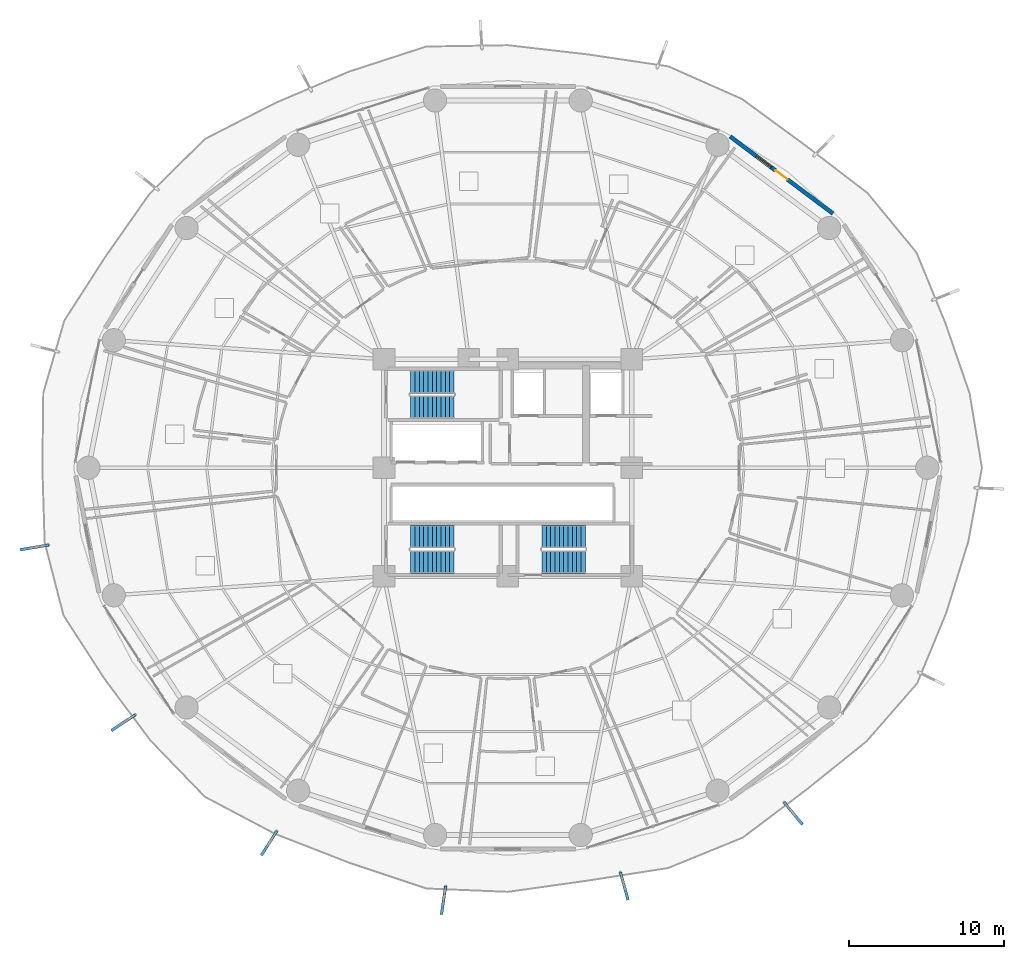
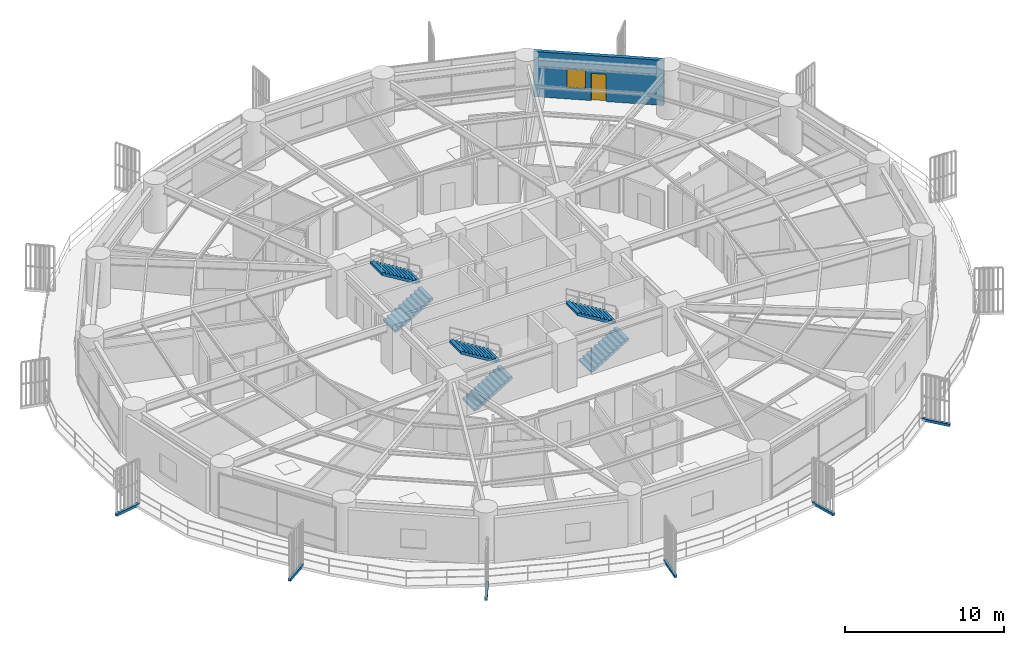
# One storey, part 27 of 33: 6 discrete accessories, 6 stair flights, 1 door, 1 wall, 1 window, 2 openings, 3 elements without a shape of their own.
"""IFC4 building model written with IfcOpenShell, lengths in metres."""

from ifc_helpers import new_model, si_unit, direction, frame, frame_2d, origin, origin_2d, place, context, subcontext, project, spatial, polyline, rectangle, outline, extrude, source, transform, mapped, material, layer, layer_set, type_object, element, fill, aggregate, save


model = new_model("IFC4")

# Units and contexts
model_context = context("Model", 3, precision=1e-05, world=origin(), true_north=direction((0.0, 1.0)))
body_context = subcontext(model_context, "Body", "Model", "MODEL_VIEW")
ifc_project = project(units=[si_unit("LENGTHUNIT", "METRE"), si_unit("AREAUNIT", "SQUARE_METRE"), si_unit("VOLUMEUNIT", "CUBIC_METRE"), si_unit("PLANEANGLEUNIT", "RADIAN"), si_unit("MASSUNIT", "GRAM", prefix="KILO")], contexts=[model_context])

# Site, building, storey
site_placement = place(None, origin())
site = spatial("IfcSite", under=ifc_project, at=site_placement, CompositionType="ELEMENT")
building_placement = place(site_placement, origin())
building = spatial("IfcBuilding", under=site, at=building_placement, Name="Kelanora Arch Commons", CompositionType="ELEMENT")
storey_placement = place(building_placement, frame((0.0, 0.0, 45.0)))
storey = spatial("IfcBuildingStorey", under=building, at=storey_placement, Name="L11", CompositionType="ELEMENT", Elevation=45.0)

# Wall, openings, door, window
ifc_material_1 = material(Name="Precast concrete C40/50 with terracotta rainscreen", Category="masonry")
ifc_layer = layer(ifc_material_1, 0.260009765625)
ifc_layer_set = layer_set([ifc_layer], Name="Precast concrete C40/50 with terracotta rainscreen")
wall_type = type_object("IfcWallType", Name="W-EXT-TC", PredefinedType="SOLIDWALL", material=ifc_layer_set)
wall_placement = place(storey_placement, frame((94.98388671875, 74.418212890625, 0.0), z_axis=(0.0, 0.0, 1.0), x_axis=(-0.80030733173, 0.599590005569, 0.0)))
wall = element("IfcWall", 1, at=wall_placement, inside=storey, type_object=wall_type, Name="Terracotta Exterior Wall L11-B02", PredefinedType="SOLIDWALL", context=body_context, shape_type="SweptSolid", body=[
    extrude(rectangle(XDim=8.29052734375, YDim=0.260009765625, at=frame_2d((4.145263671875, 0.0))), origin(), (0.0, 0.0, 1.0), 3.47509765625),
])
opening_1_placement = place(wall_placement, frame((3.669921875, 0.0, 0.0)))
opening_1 = element("IfcOpeningElement", 2, at=opening_1_placement, cuts=wall, Name="Opening DB-01", PredefinedType="OPENING", context=body_context, shape_type="SweptSolid", body=[
    extrude(rectangle(XDim=0.949951171875, YDim=2.10009765625, at=frame_2d((0.47509765625, 1.050048828125))), frame((0.0, 0.14013671875, 0.0), z_axis=(0.0, -1.0, 0.0), x_axis=(1.0, 0.0, 0.0)), (0.0, 0.0, 1.0), 0.280029296875),
])
opening_2_placement = place(wall_placement, frame((4.969970703125, 0.0, 0.85009765625)))
opening_2 = element("IfcOpeningElement", 3, at=opening_2_placement, cuts=wall, Name="Opening WN-02", PredefinedType="OPENING", context=body_context, shape_type="SweptSolid", body=[
    extrude(rectangle(XDim=1.199951171875, YDim=1.449951171875, at=frame_2d((0.60009765625, 0.72509765625))), frame((0.0, 0.14013671875, 0.0), z_axis=(0.0, -1.0, 0.0), x_axis=(1.0, 0.0, 0.0)), (0.0, 0.0, 1.0), 0.280029296875),
])
ifc_material_2 = material(Name="Terracotta-aluminium thermally broken glazed balcony door", Category="masonry")
door_type = type_object("IfcDoorType", Name="D-BAL-10", OperationType="NOTDEFINED", PredefinedType="DOOR", material=ifc_material_2)
door_placement = place(opening_1_placement, frame((0.949951171875, 0.0, 0.0), z_axis=(0.0, 0.0, 1.0), x_axis=(-1.0, 0.0, 0.0)))
door = element("IfcDoor", 4, at=door_placement, inside=storey, type_object=door_type, Name="Wave Balcony Door L11-B02", OperationType="SINGLE_SWING_RIGHT", OverallHeight=2.10009765625, OverallWidth=0.949951171875, PredefinedType="DOOR", context=body_context, shape_type="SweptSolid", body=[
    extrude(rectangle(XDim=0.949951171875, YDim=2.10009765625, at=frame_2d((0.47509765625, 1.050048828125))), frame((0.0, 0.02490234375, 0.0), z_axis=(0.0, -1.0, 0.0), x_axis=(1.0, 0.0, 0.0)), (0.0, 0.0, 1.0), 0.050048828125),
])
fill(opening_1, door)
ifc_material_3 = material(Name="Terracotta-anodised aluminium frame with operable awning sash", Category="masonry")
window_type = type_object("IfcWindowType", Name="WIN-CL-12", PartitioningType="SINGLE_PANEL", PredefinedType="WINDOW", material=ifc_material_3)
window_placement = place(opening_2_placement, origin())
window = element("IfcWindow", 5, at=window_placement, inside=storey, type_object=window_type, Name="Co-Living Operable Window L11-B02", OverallHeight=1.449951171875, OverallWidth=1.199951171875, PartitioningType="SINGLE_PANEL", PredefinedType="WINDOW", context=body_context, shape_type="SweptSolid", body=[
    extrude(rectangle(XDim=1.199951171875, YDim=1.449951171875, at=frame_2d((0.60009765625, 0.72509765625))), frame((0.0, 0.030029296875, 0.0), z_axis=(0.0, -1.0, 0.0), x_axis=(1.0, 0.0, 0.0)), (0.0, 0.0, 1.0), 0.06005859375),
])
fill(opening_2, window)

# Stair, stair flights
ifc_material_4 = material(Name="Concrete C40/50", Category="concrete")
stair_type = type_object("IfcStairType", Name="STR-DL-375", PredefinedType="HALF_TURN_STAIR", material=ifc_material_4)
stair_1_placement = place(storey_placement, origin())
stair_1 = element("IfcStair", 6, at=stair_1_placement, inside=storey, type_object=stair_type, Name="L11 ST-T1", PredefinedType="HALF_TURN_STAIR")
stair_flight_type = type_object("IfcStairFlightType", Name="FLT-DL-375", PredefinedType="STRAIGHT", material=ifc_material_4)
stair_flight_1_placement = place(storey_placement, frame((67.719970703125, 61.919921875, 0.0), z_axis=(0.0, 0.0, 1.0), x_axis=(1.0, 0.0, 0.0)))
stair_flight_1 = element("IfcStairFlight", 7, at=stair_flight_1_placement, type_object=stair_flight_type, Name="ST-T1 flight 1", NumberOfRisers=11, NumberOfTreads=10, PredefinedType="STRAIGHT", RiserHeight=0.170454545, TreadLength=0.28, context=body_context, shape_type="SweptSolid", body=[
    extrude(outline(polyline([(0.0, 0.0), (0.0, 0.17041015625), (0.280029296875, 0.17041015625), (0.280029296875, 0.3408203125), (0.56005859375, 0.3408203125), (0.56005859375, 0.511474609375), (0.840087890625, 0.511474609375), (0.840087890625, 0.681884765625), (1.1201171875, 0.681884765625), (1.1201171875, 0.852294921875), (1.39990234375, 0.852294921875), (1.39990234375, 1.022705078125), (1.679931640625, 1.022705078125), (1.679931640625, 1.193115234375), (1.9599609375, 1.193115234375), (1.9599609375, 1.363525390625), (2.239990234375, 1.363525390625), (2.239990234375, 1.5341796875), (2.52001953125, 1.5341796875), (2.52001953125, 1.70458984375), (2.800048828125, 1.70458984375), (2.800048828125, 1.875), (2.800048828125, 1.529052734375), (0.288330078125, 0.0), (0.0, 0.0)])), frame((0.0, 0.739990234375, 0.0), z_axis=(0.0, -1.0, 0.0), x_axis=(1.0, 0.0, 0.0)), (0.0, 0.0, 1.0), 1.47998046875),
])
stair_flight_2_placement = place(storey_placement, frame((70.52001953125, 63.550048828125, 1.875), z_axis=(0.0, 0.0, 1.0), x_axis=(-1.0, 0.0, 0.0)))
stair_flight_2 = element("IfcStairFlight", 8, at=stair_flight_2_placement, type_object=stair_flight_type, Name="ST-T1 flight 2", NumberOfRisers=11, NumberOfTreads=10, PredefinedType="STRAIGHT", RiserHeight=0.170454545, TreadLength=0.28, context=body_context, shape_type="SweptSolid", body=[
    extrude(outline(polyline([(0.0, 0.0), (0.0, 0.17041015625), (0.280029296875, 0.17041015625), (0.280029296875, 0.3408203125), (0.56005859375, 0.3408203125), (0.56005859375, 0.511474609375), (0.840087890625, 0.511474609375), (0.840087890625, 0.681884765625), (1.1201171875, 0.681884765625), (1.1201171875, 0.852294921875), (1.39990234375, 0.852294921875), (1.39990234375, 1.022705078125), (1.679931640625, 1.022705078125), (1.679931640625, 1.193115234375), (1.9599609375, 1.193115234375), (1.9599609375, 1.363525390625), (2.239990234375, 1.363525390625), (2.239990234375, 1.5341796875), (2.52001953125, 1.5341796875), (2.52001953125, 1.70458984375), (2.800048828125, 1.70458984375), (2.800048828125, 1.875), (2.800048828125, 1.529052734375), (0.288330078125, 0.0), (0.0, 0.0)])), frame((0.0, 0.739990234375, 0.0), z_axis=(0.0, -1.0, 0.0), x_axis=(1.0, 0.0, 0.0)), (0.0, 0.0, 1.0), 1.47998046875),
])
aggregate(stair_1, [stair_flight_1, stair_flight_2])

stair_2_placement = place(storey_placement, origin())
stair_2 = element("IfcStair", 9, at=stair_2_placement, inside=storey, type_object=stair_type, Name="L11 ST-T2", PredefinedType="HALF_TURN_STAIR")
stair_flight_3_placement = place(storey_placement, frame((76.199951171875, 51.919921875, 0.0), z_axis=(0.0, 0.0, 1.0), x_axis=(1.0, 0.0, 0.0)))
stair_flight_3 = element("IfcStairFlight", 10, at=stair_flight_3_placement, type_object=stair_flight_type, Name="ST-T2 flight 1", NumberOfRisers=11, NumberOfTreads=10, PredefinedType="STRAIGHT", RiserHeight=0.170454545, TreadLength=0.28, context=body_context, shape_type="SweptSolid", body=[
    extrude(outline(polyline([(0.0, 0.0), (0.0, 0.17041015625), (0.280029296875, 0.17041015625), (0.280029296875, 0.3408203125), (0.56005859375, 0.3408203125), (0.56005859375, 0.511474609375), (0.840087890625, 0.511474609375), (0.840087890625, 0.681884765625), (1.1201171875, 0.681884765625), (1.1201171875, 0.852294921875), (1.39990234375, 0.852294921875), (1.39990234375, 1.022705078125), (1.679931640625, 1.022705078125), (1.679931640625, 1.193115234375), (1.9599609375, 1.193115234375), (1.9599609375, 1.363525390625), (2.239990234375, 1.363525390625), (2.239990234375, 1.5341796875), (2.52001953125, 1.5341796875), (2.52001953125, 1.70458984375), (2.800048828125, 1.70458984375), (2.800048828125, 1.875), (2.800048828125, 1.529052734375), (0.288330078125, 0.0), (0.0, 0.0)])), frame((0.0, 0.739990234375, 0.0), z_axis=(0.0, -1.0, 0.0), x_axis=(1.0, 0.0, 0.0)), (0.0, 0.0, 1.0), 1.47998046875),
])
stair_flight_4_placement = place(storey_placement, frame((79.0, 53.550048828125, 1.875), z_axis=(0.0, 0.0, 1.0), x_axis=(-1.0, 0.0, 0.0)))
stair_flight_4 = element("IfcStairFlight", 11, at=stair_flight_4_placement, type_object=stair_flight_type, Name="ST-T2 flight 2", NumberOfRisers=11, NumberOfTreads=10, PredefinedType="STRAIGHT", RiserHeight=0.170454545, TreadLength=0.28, context=body_context, shape_type="SweptSolid", body=[
    extrude(outline(polyline([(0.0, 0.0), (0.0, 0.17041015625), (0.280029296875, 0.17041015625), (0.280029296875, 0.3408203125), (0.56005859375, 0.3408203125), (0.56005859375, 0.511474609375), (0.840087890625, 0.511474609375), (0.840087890625, 0.681884765625), (1.1201171875, 0.681884765625), (1.1201171875, 0.852294921875), (1.39990234375, 0.852294921875), (1.39990234375, 1.022705078125), (1.679931640625, 1.022705078125), (1.679931640625, 1.193115234375), (1.9599609375, 1.193115234375), (1.9599609375, 1.363525390625), (2.239990234375, 1.363525390625), (2.239990234375, 1.5341796875), (2.52001953125, 1.5341796875), (2.52001953125, 1.70458984375), (2.800048828125, 1.70458984375), (2.800048828125, 1.875), (2.800048828125, 1.529052734375), (0.288330078125, 0.0), (0.0, 0.0)])), frame((0.0, 0.739990234375, 0.0), z_axis=(0.0, -1.0, 0.0), x_axis=(1.0, 0.0, 0.0)), (0.0, 0.0, 1.0), 1.47998046875),
])
aggregate(stair_2, [stair_flight_3, stair_flight_4])

stair_3_placement = place(storey_placement, origin())
stair_3 = element("IfcStair", 12, at=stair_3_placement, inside=storey, type_object=stair_type, Name="L11 ST-T3", PredefinedType="HALF_TURN_STAIR")
stair_flight_5_placement = place(storey_placement, frame((67.719970703125, 51.919921875, 0.0), z_axis=(0.0, 0.0, 1.0), x_axis=(1.0, 0.0, 0.0)))
stair_flight_5 = element("IfcStairFlight", 13, at=stair_flight_5_placement, type_object=stair_flight_type, Name="ST-T3 flight 1", NumberOfRisers=11, NumberOfTreads=10, PredefinedType="STRAIGHT", RiserHeight=0.170454545, TreadLength=0.28, context=body_context, shape_type="SweptSolid", body=[
    extrude(outline(polyline([(0.0, 0.0), (0.0, 0.17041015625), (0.280029296875, 0.17041015625), (0.280029296875, 0.3408203125), (0.56005859375, 0.3408203125), (0.56005859375, 0.511474609375), (0.840087890625, 0.511474609375), (0.840087890625, 0.681884765625), (1.1201171875, 0.681884765625), (1.1201171875, 0.852294921875), (1.39990234375, 0.852294921875), (1.39990234375, 1.022705078125), (1.679931640625, 1.022705078125), (1.679931640625, 1.193115234375), (1.9599609375, 1.193115234375), (1.9599609375, 1.363525390625), (2.239990234375, 1.363525390625), (2.239990234375, 1.5341796875), (2.52001953125, 1.5341796875), (2.52001953125, 1.70458984375), (2.800048828125, 1.70458984375), (2.800048828125, 1.875), (2.800048828125, 1.529052734375), (0.288330078125, 0.0), (0.0, 0.0)])), frame((0.0, 0.739990234375, 0.0), z_axis=(0.0, -1.0, 0.0), x_axis=(1.0, 0.0, 0.0)), (0.0, 0.0, 1.0), 1.47998046875),
])
stair_flight_6_placement = place(storey_placement, frame((70.52001953125, 53.550048828125, 1.875), z_axis=(0.0, 0.0, 1.0), x_axis=(-1.0, 0.0, 0.0)))
stair_flight_6 = element("IfcStairFlight", 14, at=stair_flight_6_placement, type_object=stair_flight_type, Name="ST-T3 flight 2", NumberOfRisers=11, NumberOfTreads=10, PredefinedType="STRAIGHT", RiserHeight=0.170454545, TreadLength=0.28, context=body_context, shape_type="SweptSolid", body=[
    extrude(outline(polyline([(0.0, 0.0), (0.0, 0.17041015625), (0.280029296875, 0.17041015625), (0.280029296875, 0.3408203125), (0.56005859375, 0.3408203125), (0.56005859375, 0.511474609375), (0.840087890625, 0.511474609375), (0.840087890625, 0.681884765625), (1.1201171875, 0.681884765625), (1.1201171875, 0.852294921875), (1.39990234375, 0.852294921875), (1.39990234375, 1.022705078125), (1.679931640625, 1.022705078125), (1.679931640625, 1.193115234375), (1.9599609375, 1.193115234375), (1.9599609375, 1.363525390625), (2.239990234375, 1.363525390625), (2.239990234375, 1.5341796875), (2.52001953125, 1.5341796875), (2.52001953125, 1.70458984375), (2.800048828125, 1.70458984375), (2.800048828125, 1.875), (2.800048828125, 1.529052734375), (0.288330078125, 0.0), (0.0, 0.0)])), frame((0.0, 0.739990234375, 0.0), z_axis=(0.0, -1.0, 0.0), x_axis=(1.0, 0.0, 0.0)), (0.0, 0.0, 1.0), 1.47998046875),
])
aggregate(stair_3, [stair_flight_5, stair_flight_6])

# Discrete accessories
ifc_material_5 = material(Name="Stainless steel 316 marine fin bracket", Category="steel")
discrete_accessory_type = type_object("IfcDiscreteAccessoryType", Name="ACC-FIN-BRK", PredefinedType="BRACKET", material=ifc_material_5)
shared_shape = source(origin(), body_context, "Body", "SweptSolid", [
    extrude(rectangle(XDim=1.864990234375, YDim=0.179931640625, at=origin_2d()), origin(), (0.0, 0.0, 1.0), 0.199951171875),
])
for number, where, z_axis, x_axis, name in (
    (15, (43.439697265625, 52.86279296875, -0.16015625), (0.0, 0.0, 1.0), (-0.986170136229, -0.165736122828, 0.0), "Sweeping Fin Cantilever Spine Bracket L11-07"),
    (16, (49.17626953125, 41.543212890625, -0.16015625), (0.0, 0.0, 1.0), (-0.833500294179, -0.552519012888, 0.0), "Sweeping Fin Cantilever Spine Bracket L11-08"),
    (17, (58.58349609375, 33.761962890625, -0.16015625), (0.0, 0.0, 1.0), (-0.536710679153, -0.843766346142, 0.0), "Sweeping Fin Cantilever Spine Bracket L11-09"),
    (18, (69.847900390625, 30.07861328125, -0.16015625), (0.0, 0.0, 1.0), (-0.147118911839, -0.989118812772, 0.0), "Sweeping Fin Cantilever Spine Bracket L11-10"),
    (19, (81.5107421875, 30.993896484375, -0.16015625), (0.0, 0.0, 1.0), (0.267911051866, -0.963443650811, 0.0), "Sweeping Fin Cantilever Spine Bracket L11-11"),
    (20, (92.4228515625, 35.684814453125, -0.16015625), (0.0, 0.0, 1.0), (0.636616760808, -0.771180329014, 0.0), "Sweeping Fin Cantilever Spine Bracket L11-12"),
):
    element("IfcDiscreteAccessory", number, at=place(storey_placement, frame(where, z_axis=z_axis, x_axis=x_axis)), inside=storey, type_object=discrete_accessory_type, Name=name, PredefinedType="BRACKET", context=body_context, shape_type="MappedRepresentation", body=[
        mapped(shared_shape, transform((0.0, 0.0, 0.0), scale=1.0)),
    ])

save(model, "model.ifc")
